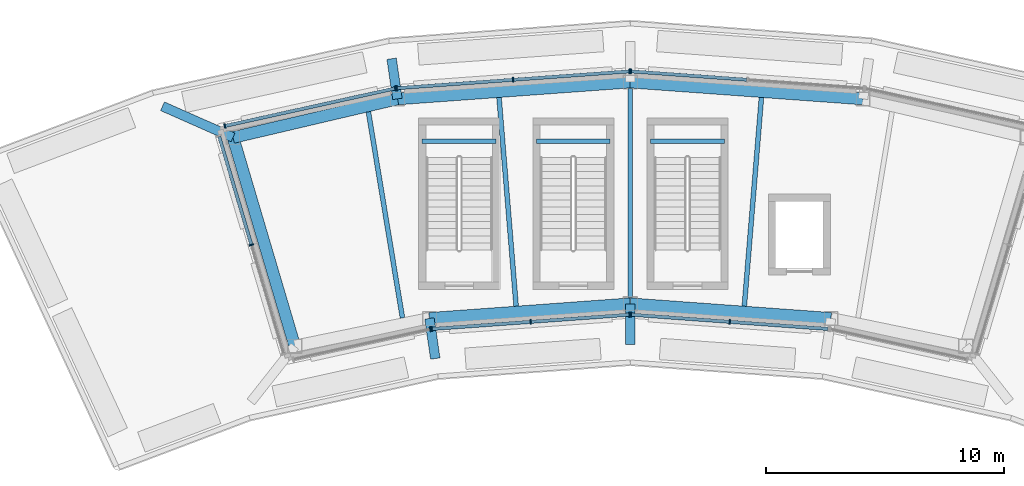
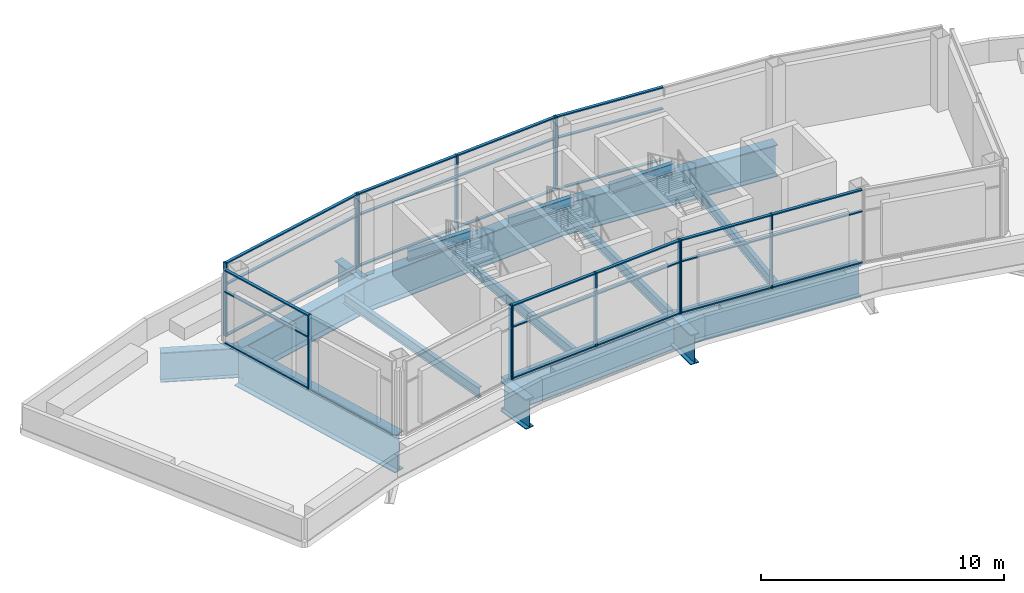
# One storey, part 2 of 7: 40 members, 17 beams, 7 elements without a shape of their own.
"""IFC4 building model written with IfcOpenShell, lengths in metres."""

from ifc_helpers import new_model, si_unit, direction, frame, origin, origin_2d, place, context, subcontext, project, spatial, rectangle, i_section, extrude, material, layer, layer_set, material_profile, profile_set, type_object, element, aggregate, save


model = new_model("IFC4")

# Units and contexts
model_context = context("Model", 3, precision=1e-05, world=origin(), true_north=direction((0.0, 1.0)))
body_context = subcontext(model_context, "Body", "Model", "MODEL_VIEW")
ifc_project = project(units=[si_unit("LENGTHUNIT", "METRE"), si_unit("AREAUNIT", "SQUARE_METRE"), si_unit("VOLUMEUNIT", "CUBIC_METRE"), si_unit("PLANEANGLEUNIT", "RADIAN"), si_unit("MASSUNIT", "GRAM", prefix="KILO")], contexts=[model_context])

# Site, building, storey
site_placement = place(None, origin())
site = spatial("IfcSite", under=ifc_project, at=site_placement, CompositionType="ELEMENT")
building_placement = place(site_placement, origin())
building = spatial("IfcBuilding", under=site, at=building_placement, Name="Tuul Gate Civic Tower", CompositionType="ELEMENT")
storey_placement = place(building_placement, frame((0.0, 0.0, 376.10009765625)))
storey = spatial("IfcBuildingStorey", under=building, at=storey_placement, Name="Crown tier 3 lower", CompositionType="ELEMENT", Elevation=376.10009765625)

# Curtain wall, member
ifc_material_1 = material(Name="Aluminium", Category="aluminium")
ifc_layer = layer(ifc_material_1, 0.199951171875)
ifc_layer_set = layer_set([ifc_layer], Name="Aluminium")
curtain_wall_type = type_object("IfcCurtainWallType", Name="Curtain wall CW5", PredefinedType="NOTDEFINED", material=ifc_layer_set)
curtain_wall_1_placement = place(storey_placement, origin())
curtain_wall_1 = element("IfcCurtainWall", 1, at=curtain_wall_1_placement, inside=storey, type_object=curtain_wall_type, Name="Curtain wall CW5", PredefinedType="NOTDEFINED")
ifc_material_2 = material(Name="Aluminium", Category="aluminium")
ifc_material_profile_1 = material_profile(ifc_material_2, rectangle(XDim=0.199951171875, YDim=0.06005859375, at=origin_2d()), Name="CW5 mullion")
ifc_profile_set_1 = profile_set([ifc_material_profile_1], Name="Aluminium")
member_type_1 = type_object("IfcMemberType", Name="CW5 mullion", PredefinedType="MULLION", material=ifc_profile_set_1)
member_1_placement = place(storey_placement, frame((2.221923828125, 8.2607421875, 0.0), z_axis=(0.0, 0.0, 1.0), x_axis=(-0.072211474614, -0.997389343704, 0.0)))
member_1 = element("IfcMember", 2, at=member_1_placement, type_object=member_type_1, Name="Mullion", PredefinedType="MULLION", context=body_context, shape_type="SweptSolid", body=[
    extrude(rectangle(XDim=0.199951171875, YDim=0.06005859375, at=origin_2d()), origin(), (0.0, 0.0, 1.0), 3.699951171875),
])

# Curtain wall, members
curtain_wall_2_placement = place(storey_placement, origin())
curtain_wall_2 = element("IfcCurtainWall", 3, at=curtain_wall_2_placement, inside=storey, type_object=curtain_wall_type, Name="Curtain wall CW5", PredefinedType="NOTDEFINED")
member_2_placement = place(storey_placement, frame((2.162109375, 8.2607421875, 0.0), z_axis=(0.0, 0.0, 1.0), x_axis=(0.072211474614, -0.997389343704, 0.0)))
member_2 = element("IfcMember", 4, at=member_2_placement, type_object=member_type_1, Name="Mullion", PredefinedType="MULLION", context=body_context, shape_type="SweptSolid", body=[
    extrude(rectangle(XDim=0.199951171875, YDim=0.06005859375, at=origin_2d()), origin(), (0.0, 0.0, 1.0), 3.699951171875),
])
member_3_placement = place(storey_placement, frame((-2.73193359375, 7.906494140625, 0.0), z_axis=(0.0, 0.0, 1.0), x_axis=(0.072211474614, -0.997389343704, 0.0)))
member_3 = element("IfcMember", 5, at=member_3_placement, type_object=member_type_1, Name="Mullion", PredefinedType="MULLION", context=body_context, shape_type="SweptSolid", body=[
    extrude(rectangle(XDim=0.199951171875, YDim=0.06005859375, at=origin_2d()), origin(), (0.0, 0.0, 1.0), 3.699951171875),
])
member_4_placement = place(storey_placement, frame((-7.6259765625, 7.55224609375, 0.0), z_axis=(0.0, 0.0, 1.0), x_axis=(0.072211474614, -0.997389343704, 0.0)))
member_4 = element("IfcMember", 6, at=member_4_placement, type_object=member_type_1, Name="Mullion", PredefinedType="MULLION", context=body_context, shape_type="SweptSolid", body=[
    extrude(rectangle(XDim=0.199951171875, YDim=0.06005859375, at=origin_2d()), origin(), (0.0, 0.0, 1.0), 3.699951171875),
])

curtain_wall_3_placement = place(storey_placement, origin())
curtain_wall_3 = element("IfcCurtainWall", 7, at=curtain_wall_3_placement, inside=storey, type_object=curtain_wall_type, Name="Curtain wall CW5", PredefinedType="NOTDEFINED")
member_5_placement = place(storey_placement, frame((-7.685302734375, 7.54345703125, 0.0), z_axis=(0.0, 0.0, 1.0), x_axis=(0.215297760919, -0.97654844946, 0.0)))
member_5 = element("IfcMember", 8, at=member_5_placement, type_object=member_type_1, Name="Mullion", PredefinedType="MULLION", context=body_context, shape_type="SweptSolid", body=[
    extrude(rectangle(XDim=0.199951171875, YDim=0.06005859375, at=origin_2d()), origin(), (0.0, 0.0, 1.0), 3.699951171875),
])
member_6_placement = place(storey_placement, frame((-14.84765625, 5.96435546875, 0.0), z_axis=(0.0, 0.0, 1.0), x_axis=(0.215297760919, -0.97654844946, 0.0)))
member_6 = element("IfcMember", 9, at=member_6_placement, type_object=member_type_1, Name="Mullion", PredefinedType="MULLION", context=body_context, shape_type="SweptSolid", body=[
    extrude(rectangle(XDim=0.199951171875, YDim=0.06005859375, at=origin_2d()), origin(), (0.0, 0.0, 1.0), 3.699951171875),
])

# Curtain wall, member
curtain_wall_4_placement = place(storey_placement, origin())
curtain_wall_4 = element("IfcCurtainWall", 10, at=curtain_wall_4_placement, inside=storey, type_object=curtain_wall_type, Name="Curtain wall CW5", PredefinedType="NOTDEFINED")
member_7_placement = place(storey_placement, frame((-13.7275390625, 0.967041015625, 0.0), z_axis=(0.0, 0.0, 1.0), x_axis=(0.95847574458, 0.285174064481, 0.0)))
member_7 = element("IfcMember", 11, at=member_7_placement, type_object=member_type_1, Name="Mullion", PredefinedType="MULLION", context=body_context, shape_type="SweptSolid", body=[
    extrude(rectangle(XDim=0.199951171875, YDim=0.06005859375, at=origin_2d()), origin(), (0.0, 0.0, 1.0), 3.699951171875),
])

curtain_wall_5_placement = place(storey_placement, origin())
curtain_wall_5 = element("IfcCurtainWall", 12, at=curtain_wall_5_placement, inside=storey, type_object=curtain_wall_type, Name="Curtain wall CW5", PredefinedType="NOTDEFINED")
member_8_placement = place(storey_placement, frame((-6.211181640625, -2.576416015625, 0.0), z_axis=(0.0, 0.0, 1.0), x_axis=(-0.215242614215, 0.976560605916, 0.0)))
member_8 = element("IfcMember", 13, at=member_8_placement, type_object=member_type_1, Name="Mullion", PredefinedType="MULLION", context=body_context, shape_type="SweptSolid", body=[
    extrude(rectangle(XDim=0.199951171875, YDim=0.06005859375, at=origin_2d()), origin(), (0.0, 0.0, 1.0), 3.699951171875),
])
aggregate(curtain_wall_5, [member_8])

# Curtain wall, members
curtain_wall_6_placement = place(storey_placement, origin())
curtain_wall_6 = element("IfcCurtainWall", 14, at=curtain_wall_6_placement, inside=storey, type_object=curtain_wall_type, Name="Curtain wall CW5", PredefinedType="NOTDEFINED")
member_9_placement = place(storey_placement, frame((-6.152099609375, -2.56787109375, 0.0), z_axis=(0.0, 0.0, 1.0), x_axis=(-0.072178099624, 0.997391759508, 0.0)))
member_9 = element("IfcMember", 15, at=member_9_placement, type_object=member_type_1, Name="Mullion", PredefinedType="MULLION", context=body_context, shape_type="SweptSolid", body=[
    extrude(rectangle(XDim=0.199951171875, YDim=0.06005859375, at=origin_2d()), origin(), (0.0, 0.0, 1.0), 3.699951171875),
])
member_10_placement = place(storey_placement, frame((-1.9951171875, -2.26708984375, 0.0), z_axis=(0.0, 0.0, 1.0), x_axis=(-0.072178099624, 0.997391759508, 0.0)))
member_10 = element("IfcMember", 16, at=member_10_placement, type_object=member_type_1, Name="Mullion", PredefinedType="MULLION", context=body_context, shape_type="SweptSolid", body=[
    extrude(rectangle(XDim=0.199951171875, YDim=0.06005859375, at=origin_2d()), origin(), (0.0, 0.0, 1.0), 3.699951171875),
])
member_11_placement = place(storey_placement, frame((2.162109375, -1.966064453125, 0.0), z_axis=(0.0, 0.0, 1.0), x_axis=(-0.072178099624, 0.997391759508, 0.0)))
member_11 = element("IfcMember", 17, at=member_11_placement, type_object=member_type_1, Name="Mullion", PredefinedType="MULLION", context=body_context, shape_type="SweptSolid", body=[
    extrude(rectangle(XDim=0.199951171875, YDim=0.06005859375, at=origin_2d()), origin(), (0.0, 0.0, 1.0), 3.699951171875),
])

curtain_wall_7_placement = place(storey_placement, origin())
curtain_wall_7 = element("IfcCurtainWall", 18, at=curtain_wall_7_placement, inside=storey, type_object=curtain_wall_type, Name="Curtain wall CW5", PredefinedType="NOTDEFINED")
member_12_placement = place(storey_placement, frame((2.221923828125, -1.966064453125, 0.0), z_axis=(0.0, 0.0, 1.0), x_axis=(0.072178099624, 0.997391759508, 0.0)))
member_12 = element("IfcMember", 19, at=member_12_placement, type_object=member_type_1, Name="Mullion", PredefinedType="MULLION", context=body_context, shape_type="SweptSolid", body=[
    extrude(rectangle(XDim=0.199951171875, YDim=0.06005859375, at=origin_2d()), origin(), (0.0, 0.0, 1.0), 3.699951171875),
])
member_13_placement = place(storey_placement, frame((6.37890625, -2.26708984375, 0.0), z_axis=(0.0, 0.0, 1.0), x_axis=(0.072178099624, 0.997391759508, 0.0)))
member_13 = element("IfcMember", 20, at=member_13_placement, type_object=member_type_1, Name="Mullion", PredefinedType="MULLION", context=body_context, shape_type="SweptSolid", body=[
    extrude(rectangle(XDim=0.199951171875, YDim=0.06005859375, at=origin_2d()), origin(), (0.0, 0.0, 1.0), 3.699951171875),
])

# Member
ifc_material_3 = material(Name="Aluminium", Category="aluminium")
ifc_material_profile_2 = material_profile(ifc_material_3, rectangle(XDim=0.139892578125, YDim=0.06005859375, at=origin_2d()), Name="CW5 transom")
ifc_profile_set_2 = profile_set([ifc_material_profile_2], Name="Aluminium")
member_type_2 = type_object("IfcMemberType", Name="CW5 transom", PredefinedType="USERDEFINED", material=ifc_profile_set_2)
member_14_placement = place(storey_placement, frame((7.086181640625, 7.90869140625, 0.02978515625), z_axis=(-0.99738789981, 0.072231414996, 0.0), x_axis=(-0.072231414996, -0.99738789981, 0.0)))
member_14 = element("IfcMember", 21, at=member_14_placement, type_object=member_type_2, Name="Transom", ObjectType="TRANSOM", PredefinedType="USERDEFINED", context=body_context, shape_type="SweptSolid", body=[
    extrude(rectangle(XDim=0.139892578125, YDim=0.06005859375, at=origin_2d()), origin(), (0.0, 0.0, 1.0), 4.846923828125),
])

member_15_placement = place(storey_placement, frame((7.086181640625, 7.90869140625, 2.599853515625), z_axis=(-0.99738789981, 0.072231414996, 0.0), x_axis=(-0.072231414996, -0.99738789981, 0.0)))
member_15 = element("IfcMember", 22, at=member_15_placement, type_object=member_type_2, Name="Transom", ObjectType="TRANSOM", PredefinedType="USERDEFINED", context=body_context, shape_type="SweptSolid", body=[
    extrude(rectangle(XDim=0.139892578125, YDim=0.06005859375, at=origin_2d()), origin(), (0.0, 0.0, 1.0), 4.846923828125),
])

member_16_placement = place(storey_placement, frame((7.086181640625, 7.90869140625, 3.669921875), z_axis=(-0.99738789981, 0.072231414996, 0.0), x_axis=(-0.072231414996, -0.99738789981, 0.0)))
member_16 = element("IfcMember", 23, at=member_16_placement, type_object=member_type_2, Name="Transom", ObjectType="TRANSOM", PredefinedType="USERDEFINED", context=body_context, shape_type="SweptSolid", body=[
    extrude(rectangle(XDim=0.139892578125, YDim=0.06005859375, at=origin_2d()), origin(), (0.0, 0.0, 1.0), 4.846923828125),
])

aggregate(curtain_wall_1, [member_1, member_14, member_15, member_16])

member_17_placement = place(storey_placement, frame((2.132080078125, 8.2587890625, 0.02978515625), z_axis=(-0.99738789981, -0.072231414996, 0.0), x_axis=(0.072231414996, -0.99738789981, 0.0)))
member_17 = element("IfcMember", 24, at=member_17_placement, type_object=member_type_2, Name="Transom", ObjectType="TRANSOM", PredefinedType="USERDEFINED", context=body_context, shape_type="SweptSolid", body=[
    extrude(rectangle(XDim=0.139892578125, YDim=0.06005859375, at=origin_2d()), origin(), (0.0, 0.0, 1.0), 4.846923828125),
])

member_18_placement = place(storey_placement, frame((2.132080078125, 8.2587890625, 2.599853515625), z_axis=(-0.99738789981, -0.072231414996, 0.0), x_axis=(0.072231414996, -0.99738789981, 0.0)))
member_18 = element("IfcMember", 25, at=member_18_placement, type_object=member_type_2, Name="Transom", ObjectType="TRANSOM", PredefinedType="USERDEFINED", context=body_context, shape_type="SweptSolid", body=[
    extrude(rectangle(XDim=0.139892578125, YDim=0.06005859375, at=origin_2d()), origin(), (0.0, 0.0, 1.0), 4.846923828125),
])

member_19_placement = place(storey_placement, frame((2.132080078125, 8.2587890625, 3.669921875), z_axis=(-0.99738789981, -0.072231414996, 0.0), x_axis=(0.072231414996, -0.99738789981, 0.0)))
member_19 = element("IfcMember", 26, at=member_19_placement, type_object=member_type_2, Name="Transom", ObjectType="TRANSOM", PredefinedType="USERDEFINED", context=body_context, shape_type="SweptSolid", body=[
    extrude(rectangle(XDim=0.139892578125, YDim=0.06005859375, at=origin_2d()), origin(), (0.0, 0.0, 1.0), 4.846923828125),
])

member_20_placement = place(storey_placement, frame((-2.761962890625, 7.904296875, 0.02978515625), z_axis=(-0.997391527399, -0.072181306942, 0.0), x_axis=(0.072181306942, -0.997391527399, 0.0)))
member_20 = element("IfcMember", 27, at=member_20_placement, type_object=member_type_2, Name="Transom", ObjectType="TRANSOM", PredefinedType="USERDEFINED", context=body_context, shape_type="SweptSolid", body=[
    extrude(rectangle(XDim=0.139892578125, YDim=0.06005859375, at=origin_2d()), origin(), (0.0, 0.0, 1.0), 4.846923828125),
])

member_21_placement = place(storey_placement, frame((-2.761962890625, 7.904296875, 2.599853515625), z_axis=(-0.997391527399, -0.072181306942, 0.0), x_axis=(0.072181306942, -0.997391527399, 0.0)))
member_21 = element("IfcMember", 28, at=member_21_placement, type_object=member_type_2, Name="Transom", ObjectType="TRANSOM", PredefinedType="USERDEFINED", context=body_context, shape_type="SweptSolid", body=[
    extrude(rectangle(XDim=0.139892578125, YDim=0.06005859375, at=origin_2d()), origin(), (0.0, 0.0, 1.0), 4.846923828125),
])

member_22_placement = place(storey_placement, frame((-2.761962890625, 7.904296875, 3.669921875), z_axis=(-0.997391527399, -0.072181306942, 0.0), x_axis=(0.072181306942, -0.997391527399, 0.0)))
member_22 = element("IfcMember", 29, at=member_22_placement, type_object=member_type_2, Name="Transom", ObjectType="TRANSOM", PredefinedType="USERDEFINED", context=body_context, shape_type="SweptSolid", body=[
    extrude(rectangle(XDim=0.139892578125, YDim=0.06005859375, at=origin_2d()), origin(), (0.0, 0.0, 1.0), 4.846923828125),
])

aggregate(curtain_wall_2, [member_2, member_3, member_4, member_17, member_18, member_19, member_20, member_21, member_22])

member_23_placement = place(storey_placement, frame((-7.714599609375, 7.537109375, 0.02978515625), z_axis=(-0.976548165097, -0.21529905073, 0.0), x_axis=(0.21529905073, -0.976548165097, 0.0)))
member_23 = element("IfcMember", 30, at=member_23_placement, type_object=member_type_2, Name="Transom", ObjectType="TRANSOM", PredefinedType="USERDEFINED", context=body_context, shape_type="SweptSolid", body=[
    extrude(rectangle(XDim=0.139892578125, YDim=0.06005859375, at=origin_2d()), origin(), (0.0, 0.0, 1.0), 7.2744140625),
])

member_24_placement = place(storey_placement, frame((-7.714599609375, 7.537109375, 2.599853515625), z_axis=(-0.976548165097, -0.21529905073, 0.0), x_axis=(0.21529905073, -0.976548165097, 0.0)))
member_24 = element("IfcMember", 31, at=member_24_placement, type_object=member_type_2, Name="Transom", ObjectType="TRANSOM", PredefinedType="USERDEFINED", context=body_context, shape_type="SweptSolid", body=[
    extrude(rectangle(XDim=0.139892578125, YDim=0.06005859375, at=origin_2d()), origin(), (0.0, 0.0, 1.0), 7.2744140625),
])

member_25_placement = place(storey_placement, frame((-7.714599609375, 7.537109375, 3.669921875), z_axis=(-0.976548165097, -0.21529905073, 0.0), x_axis=(0.21529905073, -0.976548165097, 0.0)))
member_25 = element("IfcMember", 32, at=member_25_placement, type_object=member_type_2, Name="Transom", ObjectType="TRANSOM", PredefinedType="USERDEFINED", context=body_context, shape_type="SweptSolid", body=[
    extrude(rectangle(XDim=0.139892578125, YDim=0.06005859375, at=origin_2d()), origin(), (0.0, 0.0, 1.0), 7.2744140625),
])

aggregate(curtain_wall_3, [member_5, member_6, member_23, member_24, member_25])

member_26_placement = place(storey_placement, frame((-15.0830078125, 5.5224609375, 0.02978515625), z_axis=(0.285198756775, -0.958468397567, 0.0), x_axis=(0.958468397567, 0.285198756775, 0.0)))
member_26 = element("IfcMember", 33, at=member_26_placement, type_object=member_type_2, Name="Transom", ObjectType="TRANSOM", PredefinedType="USERDEFINED", context=body_context, shape_type="SweptSolid", body=[
    extrude(rectangle(XDim=0.139892578125, YDim=0.06005859375, at=origin_2d()), origin(), (0.0, 0.0, 1.0), 4.72265625),
])

member_27_placement = place(storey_placement, frame((-15.0830078125, 5.5224609375, 2.599853515625), z_axis=(0.285198756775, -0.958468397567, 0.0), x_axis=(0.958468397567, 0.285198756775, 0.0)))
member_27 = element("IfcMember", 34, at=member_27_placement, type_object=member_type_2, Name="Transom", ObjectType="TRANSOM", PredefinedType="USERDEFINED", context=body_context, shape_type="SweptSolid", body=[
    extrude(rectangle(XDim=0.139892578125, YDim=0.06005859375, at=origin_2d()), origin(), (0.0, 0.0, 1.0), 4.72265625),
])

member_28_placement = place(storey_placement, frame((-15.0830078125, 5.5224609375, 3.669921875), z_axis=(0.285198756775, -0.958468397567, 0.0), x_axis=(0.958468397567, 0.285198756775, 0.0)))
member_28 = element("IfcMember", 35, at=member_28_placement, type_object=member_type_2, Name="Transom", ObjectType="TRANSOM", PredefinedType="USERDEFINED", context=body_context, shape_type="SweptSolid", body=[
    extrude(rectangle(XDim=0.139892578125, YDim=0.06005859375, at=origin_2d()), origin(), (0.0, 0.0, 1.0), 4.72265625),
])

aggregate(curtain_wall_4, [member_7, member_26, member_27, member_28])

member_29_placement = place(storey_placement, frame((-6.1220703125, -2.565673828125, 0.02978515625), z_axis=(0.997393729282, 0.072150875185, 0.0), x_axis=(-0.072150875185, 0.997393729282, 0.0)))
member_29 = element("IfcMember", 36, at=member_29_placement, type_object=member_type_2, Name="Transom", ObjectType="TRANSOM", PredefinedType="USERDEFINED", context=body_context, shape_type="SweptSolid", body=[
    extrude(rectangle(XDim=0.139892578125, YDim=0.06005859375, at=origin_2d()), origin(), (0.0, 0.0, 1.0), 4.10791015625),
])

member_30_placement = place(storey_placement, frame((-6.1220703125, -2.565673828125, 2.599853515625), z_axis=(0.997393729282, 0.072150875185, 0.0), x_axis=(-0.072150875185, 0.997393729282, 0.0)))
member_30 = element("IfcMember", 37, at=member_30_placement, type_object=member_type_2, Name="Transom", ObjectType="TRANSOM", PredefinedType="USERDEFINED", context=body_context, shape_type="SweptSolid", body=[
    extrude(rectangle(XDim=0.139892578125, YDim=0.06005859375, at=origin_2d()), origin(), (0.0, 0.0, 1.0), 4.10791015625),
])

member_31_placement = place(storey_placement, frame((-6.1220703125, -2.565673828125, 3.669921875), z_axis=(0.997393729282, 0.072150875185, 0.0), x_axis=(-0.072150875185, 0.997393729282, 0.0)))
member_31 = element("IfcMember", 38, at=member_31_placement, type_object=member_type_2, Name="Transom", ObjectType="TRANSOM", PredefinedType="USERDEFINED", context=body_context, shape_type="SweptSolid", body=[
    extrude(rectangle(XDim=0.139892578125, YDim=0.06005859375, at=origin_2d()), origin(), (0.0, 0.0, 1.0), 4.10791015625),
])

member_32_placement = place(storey_placement, frame((-1.965087890625, -2.264892578125, 0.02978515625), z_axis=(0.997389450627, 0.072209997766, 0.0), x_axis=(-0.072209997766, 0.997389450627, 0.0)))
member_32 = element("IfcMember", 39, at=member_32_placement, type_object=member_type_2, Name="Transom", ObjectType="TRANSOM", PredefinedType="USERDEFINED", context=body_context, shape_type="SweptSolid", body=[
    extrude(rectangle(XDim=0.139892578125, YDim=0.06005859375, at=origin_2d()), origin(), (0.0, 0.0, 1.0), 4.10791015625),
])

member_33_placement = place(storey_placement, frame((-1.965087890625, -2.264892578125, 2.599853515625), z_axis=(0.997389450627, 0.072209997766, 0.0), x_axis=(-0.072209997766, 0.997389450627, 0.0)))
member_33 = element("IfcMember", 40, at=member_33_placement, type_object=member_type_2, Name="Transom", ObjectType="TRANSOM", PredefinedType="USERDEFINED", context=body_context, shape_type="SweptSolid", body=[
    extrude(rectangle(XDim=0.139892578125, YDim=0.06005859375, at=origin_2d()), origin(), (0.0, 0.0, 1.0), 4.10791015625),
])

member_34_placement = place(storey_placement, frame((-1.965087890625, -2.264892578125, 3.669921875), z_axis=(0.997389450627, 0.072209997766, 0.0), x_axis=(-0.072209997766, 0.997389450627, 0.0)))
member_34 = element("IfcMember", 41, at=member_34_placement, type_object=member_type_2, Name="Transom", ObjectType="TRANSOM", PredefinedType="USERDEFINED", context=body_context, shape_type="SweptSolid", body=[
    extrude(rectangle(XDim=0.139892578125, YDim=0.06005859375, at=origin_2d()), origin(), (0.0, 0.0, 1.0), 4.10791015625),
])

aggregate(curtain_wall_6, [member_9, member_10, member_11, member_29, member_30, member_31, member_32, member_33, member_34])

member_35_placement = place(storey_placement, frame((2.251953125, -1.96826171875, 0.02978515625), z_axis=(0.997389450627, -0.072209997766, 0.0), x_axis=(0.072209997766, 0.997389450627, 0.0)))
member_35 = element("IfcMember", 42, at=member_35_placement, type_object=member_type_2, Name="Transom", ObjectType="TRANSOM", PredefinedType="USERDEFINED", context=body_context, shape_type="SweptSolid", body=[
    extrude(rectangle(XDim=0.139892578125, YDim=0.06005859375, at=origin_2d()), origin(), (0.0, 0.0, 1.0), 4.10791015625),
])

member_36_placement = place(storey_placement, frame((2.251953125, -1.96826171875, 2.599853515625), z_axis=(0.997389450627, -0.072209997766, 0.0), x_axis=(0.072209997766, 0.997389450627, 0.0)))
member_36 = element("IfcMember", 43, at=member_36_placement, type_object=member_type_2, Name="Transom", ObjectType="TRANSOM", PredefinedType="USERDEFINED", context=body_context, shape_type="SweptSolid", body=[
    extrude(rectangle(XDim=0.139892578125, YDim=0.06005859375, at=origin_2d()), origin(), (0.0, 0.0, 1.0), 4.10791015625),
])

member_37_placement = place(storey_placement, frame((2.251953125, -1.96826171875, 3.669921875), z_axis=(0.997389450627, -0.072209997766, 0.0), x_axis=(0.072209997766, 0.997389450627, 0.0)))
member_37 = element("IfcMember", 44, at=member_37_placement, type_object=member_type_2, Name="Transom", ObjectType="TRANSOM", PredefinedType="USERDEFINED", context=body_context, shape_type="SweptSolid", body=[
    extrude(rectangle(XDim=0.139892578125, YDim=0.06005859375, at=origin_2d()), origin(), (0.0, 0.0, 1.0), 4.10791015625),
])

member_38_placement = place(storey_placement, frame((6.408935546875, -2.269287109375, 0.02978515625), z_axis=(0.997393729282, -0.072150875185, 0.0), x_axis=(0.072150875185, 0.997393729282, 0.0)))
member_38 = element("IfcMember", 45, at=member_38_placement, type_object=member_type_2, Name="Transom", ObjectType="TRANSOM", PredefinedType="USERDEFINED", context=body_context, shape_type="SweptSolid", body=[
    extrude(rectangle(XDim=0.139892578125, YDim=0.06005859375, at=origin_2d()), origin(), (0.0, 0.0, 1.0), 4.10791015625),
])

member_39_placement = place(storey_placement, frame((6.408935546875, -2.269287109375, 2.599853515625), z_axis=(0.997393729282, -0.072150875185, 0.0), x_axis=(0.072150875185, 0.997393729282, 0.0)))
member_39 = element("IfcMember", 46, at=member_39_placement, type_object=member_type_2, Name="Transom", ObjectType="TRANSOM", PredefinedType="USERDEFINED", context=body_context, shape_type="SweptSolid", body=[
    extrude(rectangle(XDim=0.139892578125, YDim=0.06005859375, at=origin_2d()), origin(), (0.0, 0.0, 1.0), 4.10791015625),
])

member_40_placement = place(storey_placement, frame((6.408935546875, -2.269287109375, 3.669921875), z_axis=(0.997393729282, -0.072150875185, 0.0), x_axis=(0.072150875185, 0.997393729282, 0.0)))
member_40 = element("IfcMember", 47, at=member_40_placement, type_object=member_type_2, Name="Transom", ObjectType="TRANSOM", PredefinedType="USERDEFINED", context=body_context, shape_type="SweptSolid", body=[
    extrude(rectangle(XDim=0.139892578125, YDim=0.06005859375, at=origin_2d()), origin(), (0.0, 0.0, 1.0), 4.10791015625),
])

aggregate(curtain_wall_7, [member_12, member_13, member_35, member_36, member_37, member_38, member_39, member_40])

# Beams
ifc_material_4 = material(Name="Steel S355", Category="steel")
ifc_material_profile_3 = material_profile(ifc_material_4, i_section(OverallWidth=0.39990234375, OverallDepth=1.5, WebThickness=0.02490234375, FlangeThickness=0.0400390625, at=origin_2d()), Name="PG1500x400x25x40")
ifc_profile_set_3 = profile_set([ifc_material_profile_3], Name="Steel S355")
beam_type_1 = type_object("IfcBeamType", Name="STR-FLOOR BEAM-PG1500x400x25x40", PredefinedType="BEAM", material=ifc_profile_set_3)
beam_1_placement = place(storey_placement, frame((-7.836669921875, 8.791015625, -1.050048828125), z_axis=(0.143985716613, -0.989579766068, 0.0), x_axis=(0.989579766068, 0.143985716613, 0.0)))
element("IfcBeam", 48, at=beam_1_placement, inside=storey, type_object=beam_type_1, Name="Ring girder stub", PredefinedType="BEAM", context=body_context, shape_type="SweptSolid", body=[
    extrude(i_section(OverallWidth=0.39990234375, OverallDepth=1.5, WebThickness=0.02490234375, FlangeThickness=0.0400390625, at=origin_2d()), origin(), (0.0, 0.0, 1.0), 1.705810546875),
])
beam_2_placement = place(storey_placement, frame((-17.466552734375, 6.792724609375, -1.050048828125), z_axis=(0.914589447818, -0.404383656867, 0.0), x_axis=(0.404383656867, 0.914589447818, 0.0)))
element("IfcBeam", 49, at=beam_2_placement, inside=storey, type_object=beam_type_1, Name="Ring girder stub", PredefinedType="BEAM", context=body_context, shape_type="SweptSolid", body=[
    extrude(i_section(OverallWidth=0.39990234375, OverallDepth=1.5, WebThickness=0.02490234375, FlangeThickness=0.0400390625, at=origin_2d()), origin(), (0.0, 0.0, 1.0), 3.241455078125),
])
beam_3_placement = place(storey_placement, frame((-6.001220703125, -3.81103515625, -1.050048828125), z_axis=(-0.144207567748, 0.989547460915, 0.0), x_axis=(-0.989547460915, -0.144207567748, 0.0)))
element("IfcBeam", 50, at=beam_3_placement, inside=storey, type_object=beam_type_1, Name="Ring girder stub", PredefinedType="BEAM", context=body_context, shape_type="SweptSolid", body=[
    extrude(i_section(OverallWidth=0.39990234375, OverallDepth=1.5, WebThickness=0.02490234375, FlangeThickness=0.0400390625, at=origin_2d()), origin(), (0.0, 0.0, 1.0), 1.704833984375),
])
beam_4_placement = place(storey_placement, frame((2.19189453125, -3.218017578125, -1.050048828125), z_axis=(0.0, 1.0, 0.0), x_axis=(-1.0, 0.0, 0.0)))
element("IfcBeam", 51, at=beam_4_placement, inside=storey, type_object=beam_type_1, Name="Ring girder stub", PredefinedType="BEAM", context=body_context, shape_type="SweptSolid", body=[
    extrude(i_section(OverallWidth=0.39990234375, OverallDepth=1.5, WebThickness=0.02490234375, FlangeThickness=0.0400390625, at=origin_2d()), origin(), (0.0, 0.0, 1.0), 1.7060546875),
])
ifc_material_5 = material(Name="Steel S355", Category="steel")
ifc_material_profile_4 = material_profile(ifc_material_5, i_section(OverallWidth=0.199951171875, OverallDepth=0.5, WebThickness=0.010009765625, FlangeThickness=0.01611328125, at=origin_2d()), Name="PG500x200x10x16")
ifc_profile_set_4 = profile_set([ifc_material_profile_4], Name="Steel S355")
beam_type_2 = type_object("IfcBeamType", Name="STR-FLOOR BEAM-PG500x200x10x16", PredefinedType="BEAM", material=ifc_profile_set_4)
beam_5_placement = place(storey_placement, frame((6.987060546875, -1.609130859375, -0.550048828125), z_axis=(0.081729832132, 0.996654521156, 0.0), x_axis=(-0.996654521156, 0.081729832132, 0.0)))
element("IfcBeam", 52, at=beam_5_placement, inside=storey, type_object=beam_type_2, Name="Floor beam", PredefinedType="BEAM", context=body_context, shape_type="SweptSolid", body=[
    extrude(i_section(OverallWidth=0.199951171875, OverallDepth=0.5, WebThickness=0.010009765625, FlangeThickness=0.01611328125, at=origin_2d()), origin(), (0.0, 0.0, 1.0), 8.80029296875),
])
beam_6_placement = place(storey_placement, frame((2.19189453125, -1.26123046875, -0.550048828125), z_axis=(0.0, 1.0, 0.0), x_axis=(-1.0, 0.0, 0.0)))
element("IfcBeam", 53, at=beam_6_placement, inside=storey, type_object=beam_type_2, Name="Floor beam", PredefinedType="BEAM", context=body_context, shape_type="SweptSolid", body=[
    extrude(i_section(OverallWidth=0.199951171875, OverallDepth=0.5, WebThickness=0.010009765625, FlangeThickness=0.01611328125, at=origin_2d()), origin(), (0.0, 0.0, 1.0), 8.822509765625),
])
beam_7_placement = place(storey_placement, frame((-2.60302734375, -1.609130859375, -0.550048828125), z_axis=(-0.081729832132, 0.996654521156, 0.0), x_axis=(-0.996654521156, -0.081729832132, 0.0)))
element("IfcBeam", 54, at=beam_7_placement, inside=storey, type_object=beam_type_2, Name="Floor beam", PredefinedType="BEAM", context=body_context, shape_type="SweptSolid", body=[
    extrude(i_section(OverallWidth=0.199951171875, OverallDepth=0.5, WebThickness=0.010009765625, FlangeThickness=0.01611328125, at=origin_2d()), origin(), (0.0, 0.0, 1.0), 8.80029296875),
])
beam_8_placement = place(storey_placement, frame((-7.381591796875, -2.102294921875, -0.550048828125), z_axis=(-0.162928723661, 0.986637841868, 0.0), x_axis=(-0.986637841868, -0.162928723661, 0.0)))
element("IfcBeam", 55, at=beam_8_placement, inside=storey, type_object=beam_type_2, Name="Floor beam", PredefinedType="BEAM", context=body_context, shape_type="SweptSolid", body=[
    extrude(i_section(OverallWidth=0.199951171875, OverallDepth=0.5, WebThickness=0.010009765625, FlangeThickness=0.01611328125, at=origin_2d()), origin(), (0.0, 0.0, 1.0), 8.779541015625),
])
for number, where, z_axis, x_axis, name in (
    (56, (-6.550048828125, 5.324951171875, 1.5498046875), (1.0, 0.0, 0.0), (0.0, 1.0, 0.0), "Landing support beam"),
    (57, (-1.75, 5.324951171875, 1.5498046875), (1.0, 0.0, 0.0), (0.0, 1.0, 0.0), "Landing support beam"),
):
    element("IfcBeam", number, at=place(storey_placement, frame(where, z_axis=z_axis, x_axis=x_axis)), inside=storey, type_object=beam_type_2, Name=name, PredefinedType="BEAM", context=body_context, shape_type="SweptSolid", body=[
        extrude(i_section(OverallWidth=0.199951171875, OverallDepth=0.5, WebThickness=0.010009765625, FlangeThickness=0.01611328125, at=origin_2d()), origin(), (0.0, 0.0, 1.0), 3.10009765625),
    ])
beam_9_placement = place(storey_placement, frame((3.050048828125, 5.324951171875, 1.5498046875), z_axis=(1.0, 0.0, 0.0), x_axis=(0.0, 1.0, 0.0)))
element("IfcBeam", 58, at=beam_9_placement, inside=storey, type_object=beam_type_2, Name="Landing support beam", PredefinedType="BEAM", context=body_context, shape_type="SweptSolid", body=[
    extrude(i_section(OverallWidth=0.199951171875, OverallDepth=0.5, WebThickness=0.010009765625, FlangeThickness=0.01611328125, at=origin_2d()), origin(), (0.0, 0.0, 1.0), 3.099853515625),
])
ifc_material_6 = material(Name="Steel S355", Category="steel")
ifc_material_profile_5 = material_profile(ifc_material_6, i_section(OverallWidth=0.5, OverallDepth=1.60009765625, WebThickness=0.02490234375, FlangeThickness=0.044921875, at=origin_2d()), Name="PG1600x500x25x45")
ifc_profile_set_5 = profile_set([ifc_material_profile_5], Name="Steel S355")
beam_type_3 = type_object("IfcBeamType", Name="STR-RING BEAM-PG1600x500x25x45", PredefinedType="BEAM", material=ifc_profile_set_5)
beam_10_placement = place(storey_placement, frame((11.97509765625, 7.10302734375, -1.10009765625), z_axis=(-0.997384379923, 0.072280001979, 0.0), x_axis=(-0.072280001979, -0.997384379923, 0.0)))
element("IfcBeam", 59, at=beam_10_placement, inside=storey, type_object=beam_type_3, Name="Ring girder", PredefinedType="BEAM", context=body_context, shape_type="SweptSolid", body=[
    extrude(i_section(OverallWidth=0.5, OverallDepth=1.60009765625, WebThickness=0.02490234375, FlangeThickness=0.044921875, at=origin_2d()), origin(), (0.0, 0.0, 1.0), 9.808837890625),
])
beam_11_placement = place(storey_placement, frame((2.19189453125, 7.81201171875, -1.10009765625), z_axis=(-0.997384249884, -0.072281796353, 0.0), x_axis=(0.072281796353, -0.997384249884, 0.0)))
element("IfcBeam", 60, at=beam_11_placement, inside=storey, type_object=beam_type_3, Name="Ring girder", PredefinedType="BEAM", context=body_context, shape_type="SweptSolid", body=[
    extrude(i_section(OverallWidth=0.5, OverallDepth=1.60009765625, WebThickness=0.02490234375, FlangeThickness=0.044921875, at=origin_2d()), origin(), (0.0, 0.0, 1.0), 9.80859375),
])
beam_12_placement = place(storey_placement, frame((-7.591064453125, 7.10302734375, -1.10009765625), z_axis=(-0.973573908945, -0.228372160787, 0.0), x_axis=(0.228372160787, -0.973573908945, 0.0)))
element("IfcBeam", 61, at=beam_12_placement, inside=storey, type_object=beam_type_3, Name="Ring girder", PredefinedType="BEAM", context=body_context, shape_type="SweptSolid", body=[
    extrude(i_section(OverallWidth=0.5, OverallDepth=1.60009765625, WebThickness=0.02490234375, FlangeThickness=0.044921875, at=origin_2d()), origin(), (0.0, 0.0, 1.0), 7.098388671875),
])
beam_13_placement = place(storey_placement, frame((-6.2470703125, -2.1240234375, -1.10009765625), z_axis=(0.997380181835, 0.072337907651, 0.0), x_axis=(-0.072337907651, 0.997380181835, 0.0)))
element("IfcBeam", 62, at=beam_13_placement, inside=storey, type_object=beam_type_3, Name="Ring girder", PredefinedType="BEAM", context=body_context, shape_type="SweptSolid", body=[
    extrude(i_section(OverallWidth=0.5, OverallDepth=1.60009765625, WebThickness=0.02490234375, FlangeThickness=0.044921875, at=origin_2d()), origin(), (0.0, 0.0, 1.0), 8.461181640625),
])
beam_14_placement = place(storey_placement, frame((2.19189453125, -1.511962890625, -1.10009765625), z_axis=(0.997380332817, -0.072335825914, 0.0), x_axis=(0.072335825914, 0.997380332817, 0.0)))
element("IfcBeam", 63, at=beam_14_placement, inside=storey, type_object=beam_type_3, Name="Ring girder", PredefinedType="BEAM", context=body_context, shape_type="SweptSolid", body=[
    extrude(i_section(OverallWidth=0.5, OverallDepth=1.60009765625, WebThickness=0.02490234375, FlangeThickness=0.044921875, at=origin_2d()), origin(), (0.0, 0.0, 1.0), 8.46142578125),
])
ifc_material_7 = material(Name="Steel S355", Category="steel")
ifc_material_profile_6 = material_profile(ifc_material_7, i_section(OverallWidth=0.5, OverallDepth=1.89990234375, WebThickness=0.02490234375, FlangeThickness=0.0400390625, at=origin_2d()), Name="PG1900x500x25x40")
ifc_profile_set_6 = profile_set([ifc_material_profile_6], Name="Steel S355")
beam_type_4 = type_object("IfcBeamType", Name="STR-RING BEAM-PG1900x500x25x40", PredefinedType="BEAM", material=ifc_profile_set_6)
beam_15_placement = place(storey_placement, frame((-14.501953125, 5.48193359375, -1.25), z_axis=(0.283603896886, -0.95894151525, 0.0), x_axis=(0.95894151525, 0.283603896886, 0.0)))
element("IfcBeam", 64, at=beam_15_placement, inside=storey, type_object=beam_type_4, Name="Ring girder", PredefinedType="BEAM", context=body_context, shape_type="SweptSolid", body=[
    extrude(i_section(OverallWidth=0.5, OverallDepth=1.89990234375, WebThickness=0.02490234375, FlangeThickness=0.0400390625, at=origin_2d()), origin(), (0.0, 0.0, 1.0), 9.146484375),
])

save(model, "model.ifc")
